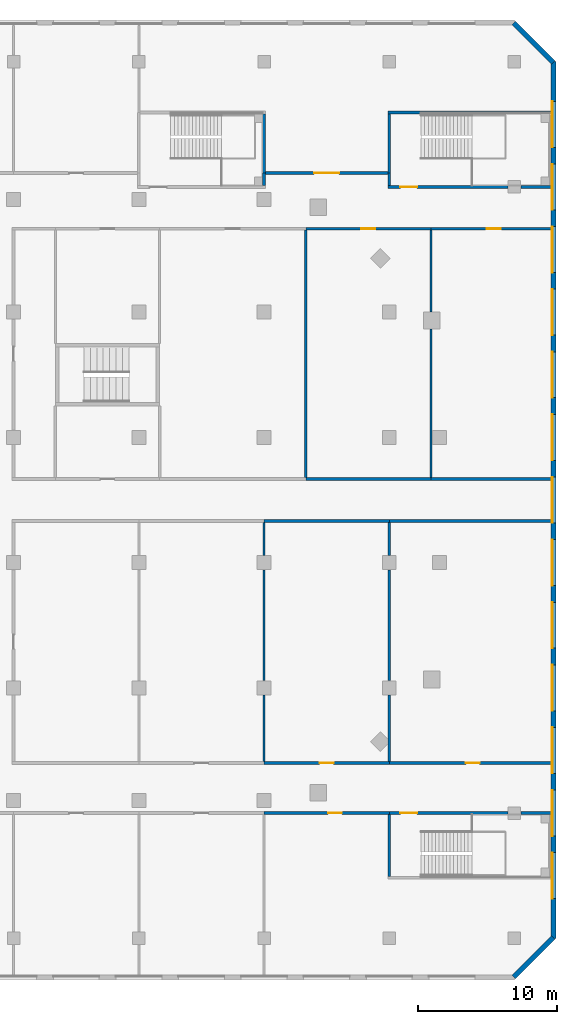
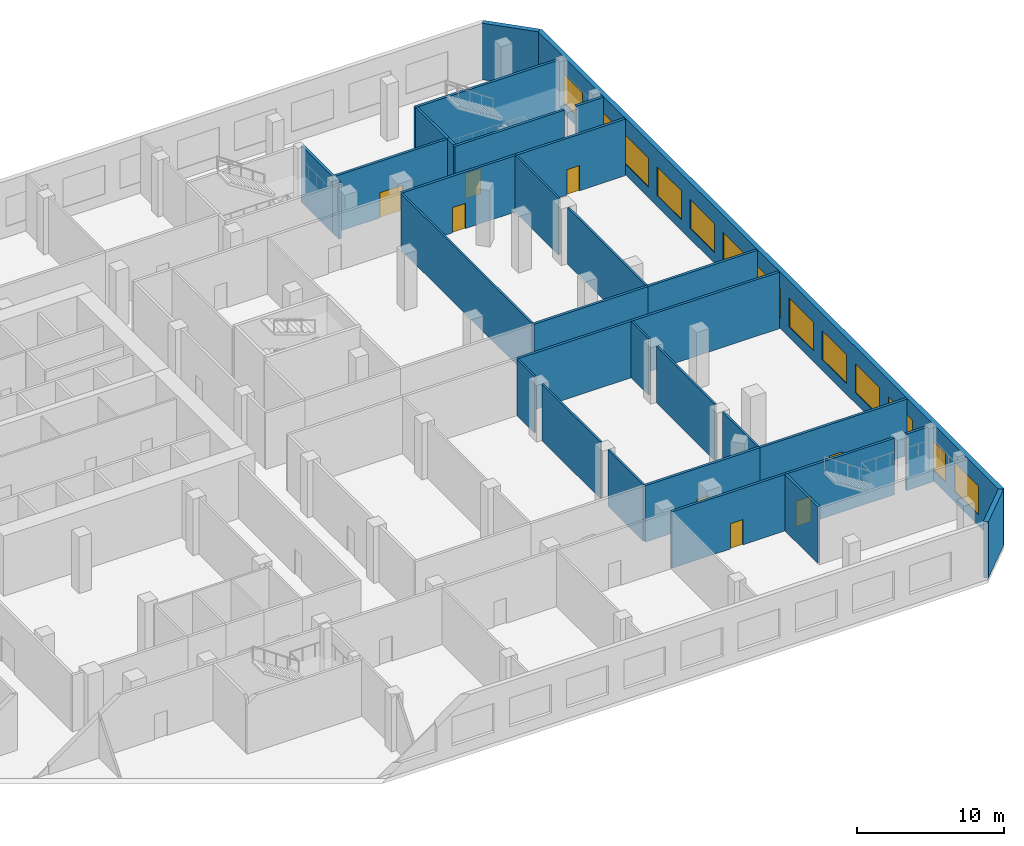
# One storey, part 14 of 21: 32 walls, 13 windows, 8 doors, 21 openings.
"""IFC4 building model written with IfcOpenShell, lengths in metres."""

from ifc_helpers import new_model, si_unit, direction, frame, frame_2d, origin, place, context, subcontext, project, spatial, rectangle, extrude, material, layer, layer_set, type_object, element, fill, save


model = new_model("IFC4")

# Units and contexts
model_context = context("Model", 3, precision=1e-05, world=origin(), true_north=direction((0.0, 1.0)))
body_context = subcontext(model_context, "Body", "Model", "MODEL_VIEW")
ifc_project = project(units=[si_unit("LENGTHUNIT", "METRE"), si_unit("AREAUNIT", "SQUARE_METRE"), si_unit("VOLUMEUNIT", "CUBIC_METRE"), si_unit("PLANEANGLEUNIT", "RADIAN"), si_unit("MASSUNIT", "GRAM", prefix="KILO")], contexts=[model_context])

# Site, building, storey
site_placement = place(None, origin())
site = spatial("IfcSite", under=ifc_project, at=site_placement, CompositionType="ELEMENT")
building_placement = place(site_placement, origin())
building = spatial("IfcBuilding", under=site, at=building_placement, Name="Cinnabar Reach Civic Tower", CompositionType="ELEMENT")
storey_placement = place(building_placement, frame((0.0, 0.0, 11.0)))
storey = spatial("IfcBuildingStorey", under=building, at=storey_placement, Name="L02", CompositionType="ELEMENT", Elevation=11.0)

# Walls
ifc_material_1 = material(Name="Facing brick with insulated backing", Category="masonry")
ifc_layer_1 = layer(ifc_material_1, 0.36)
ifc_layer_set_1 = layer_set([ifc_layer_1], Name="Brick corner wall")
wall_type_1 = type_object("IfcWallType", Name="Brick corner wall", PredefinedType="STANDARD", material=ifc_layer_set_1)
for number, where, z_axis, x_axis, name in (
    (1, (62.9611, -11.7843, 0.0), (0.0, 0.0, 1.0), (0.707106781187, 0.707106781187, 0.0), "Brick corner wall"),
    (2, (65.7843, 53.9611, 0.0), (0.0, 0.0, 1.0), (-0.707106781187, 0.707106781187, 0.0), "Brick corner wall"),
):
    element("IfcWall", number, at=place(storey_placement, frame(where, z_axis=z_axis, x_axis=x_axis)), inside=storey, type_object=wall_type_1, Name=name, PredefinedType="STANDARD", context=body_context, shape_type="SweptSolid", body=[
        extrude(rectangle(XDim=3.9926, YDim=0.36, at=frame_2d((1.9963, 0.0))), origin(), (0.0, 0.0, 1.0), 4.7),
    ])

# Wall, openings, windows
ifc_layer_2 = layer(ifc_material_1, 0.36)
ifc_layer_set_2 = layer_set([ifc_layer_2], Name="Brick pier and spandrel wall")
wall_type_2 = type_object("IfcWallType", Name="Brick pier and spandrel wall", PredefinedType="STANDARD", material=ifc_layer_set_2)
wall_1_placement = place(storey_placement, frame((65.82, -9.0, 0.0), z_axis=(0.0, 0.0, 1.0), x_axis=(0.0, 1.0, 0.0)))
wall_1 = element("IfcWall", 3, at=wall_1_placement, inside=storey, type_object=wall_type_2, Name="Brick facade wall", PredefinedType="STANDARD", context=body_context, shape_type="SweptSolid", body=[
    extrude(rectangle(XDim=63.0, YDim=0.36, at=frame_2d((31.5, 0.0))), origin(), (0.0, 0.0, 1.0), 4.7),
])
opening_1_placement = place(wall_1_placement, frame((2.85, 0.0, 0.9)))
opening_1 = element("IfcOpeningElement", 4, at=opening_1_placement, cuts=wall_1, Name="Opening W2963", PredefinedType="OPENING", context=body_context, shape_type="SweptSolid", body=[
    extrude(rectangle(XDim=3.3, YDim=2.4, at=frame_2d((1.65, 1.2))), frame((0.0, 0.19, 0.0), z_axis=(0.0, -1.0, 0.0), x_axis=(1.0, 0.0, 0.0)), (0.0, 0.0, 1.0), 0.38),
])
opening_2_placement = place(wall_1_placement, frame((7.35, 0.0, 0.9)))
opening_2 = element("IfcOpeningElement", 5, at=opening_2_placement, cuts=wall_1, Name="Opening W2964", PredefinedType="OPENING", context=body_context, shape_type="SweptSolid", body=[
    extrude(rectangle(XDim=3.3, YDim=2.4, at=frame_2d((1.65, 1.2))), frame((0.0, 0.19, 0.0), z_axis=(0.0, -1.0, 0.0), x_axis=(1.0, 0.0, 0.0)), (0.0, 0.0, 1.0), 0.38),
])
opening_3_placement = place(wall_1_placement, frame((11.85, 0.0, 0.9)))
opening_3 = element("IfcOpeningElement", 6, at=opening_3_placement, cuts=wall_1, Name="Opening W2965", PredefinedType="OPENING", context=body_context, shape_type="SweptSolid", body=[
    extrude(rectangle(XDim=3.3, YDim=2.4, at=frame_2d((1.65, 1.2))), frame((0.0, 0.19, 0.0), z_axis=(0.0, -1.0, 0.0), x_axis=(1.0, 0.0, 0.0)), (0.0, 0.0, 1.0), 0.38),
])
opening_4_placement = place(wall_1_placement, frame((16.35, 0.0, 0.9)))
opening_4 = element("IfcOpeningElement", 7, at=opening_4_placement, cuts=wall_1, Name="Opening W2966", PredefinedType="OPENING", context=body_context, shape_type="SweptSolid", body=[
    extrude(rectangle(XDim=3.3, YDim=2.4, at=frame_2d((1.65, 1.2))), frame((0.0, 0.19, 0.0), z_axis=(0.0, -1.0, 0.0), x_axis=(1.0, 0.0, 0.0)), (0.0, 0.0, 1.0), 0.38),
])
opening_5_placement = place(wall_1_placement, frame((20.85, 0.0, 0.9)))
opening_5 = element("IfcOpeningElement", 8, at=opening_5_placement, cuts=wall_1, Name="Opening W2967", PredefinedType="OPENING", context=body_context, shape_type="SweptSolid", body=[
    extrude(rectangle(XDim=3.3, YDim=2.4, at=frame_2d((1.65, 1.2))), frame((0.0, 0.19, 0.0), z_axis=(0.0, -1.0, 0.0), x_axis=(1.0, 0.0, 0.0)), (0.0, 0.0, 1.0), 0.38),
])
opening_6_placement = place(wall_1_placement, frame((25.35, 0.0, 0.9)))
opening_6 = element("IfcOpeningElement", 9, at=opening_6_placement, cuts=wall_1, Name="Opening W2968", PredefinedType="OPENING", context=body_context, shape_type="SweptSolid", body=[
    extrude(rectangle(XDim=3.3, YDim=2.4, at=frame_2d((1.65, 1.2))), frame((0.0, 0.19, 0.0), z_axis=(0.0, -1.0, 0.0), x_axis=(1.0, 0.0, 0.0)), (0.0, 0.0, 1.0), 0.38),
])
opening_7_placement = place(wall_1_placement, frame((29.85, 0.0, 0.9)))
opening_7 = element("IfcOpeningElement", 10, at=opening_7_placement, cuts=wall_1, Name="Opening W2969", PredefinedType="OPENING", context=body_context, shape_type="SweptSolid", body=[
    extrude(rectangle(XDim=3.3, YDim=2.4, at=frame_2d((1.65, 1.2))), frame((0.0, 0.19, 0.0), z_axis=(0.0, -1.0, 0.0), x_axis=(1.0, 0.0, 0.0)), (0.0, 0.0, 1.0), 0.38),
])
opening_8_placement = place(wall_1_placement, frame((34.35, 0.0, 0.9)))
opening_8 = element("IfcOpeningElement", 11, at=opening_8_placement, cuts=wall_1, Name="Opening W2970", PredefinedType="OPENING", context=body_context, shape_type="SweptSolid", body=[
    extrude(rectangle(XDim=3.3, YDim=2.4, at=frame_2d((1.65, 1.2))), frame((0.0, 0.19, 0.0), z_axis=(0.0, -1.0, 0.0), x_axis=(1.0, 0.0, 0.0)), (0.0, 0.0, 1.0), 0.38),
])
opening_9_placement = place(wall_1_placement, frame((38.85, 0.0, 0.9)))
opening_9 = element("IfcOpeningElement", 12, at=opening_9_placement, cuts=wall_1, Name="Opening W2971", PredefinedType="OPENING", context=body_context, shape_type="SweptSolid", body=[
    extrude(rectangle(XDim=3.3, YDim=2.4, at=frame_2d((1.65, 1.2))), frame((0.0, 0.19, 0.0), z_axis=(0.0, -1.0, 0.0), x_axis=(1.0, 0.0, 0.0)), (0.0, 0.0, 1.0), 0.38),
])
opening_10_placement = place(wall_1_placement, frame((43.35, 0.0, 0.9)))
opening_10 = element("IfcOpeningElement", 13, at=opening_10_placement, cuts=wall_1, Name="Opening W2972", PredefinedType="OPENING", context=body_context, shape_type="SweptSolid", body=[
    extrude(rectangle(XDim=3.3, YDim=2.4, at=frame_2d((1.65, 1.2))), frame((0.0, 0.19, 0.0), z_axis=(0.0, -1.0, 0.0), x_axis=(1.0, 0.0, 0.0)), (0.0, 0.0, 1.0), 0.38),
])
opening_11_placement = place(wall_1_placement, frame((47.85, 0.0, 0.9)))
opening_11 = element("IfcOpeningElement", 14, at=opening_11_placement, cuts=wall_1, Name="Opening W2973", PredefinedType="OPENING", context=body_context, shape_type="SweptSolid", body=[
    extrude(rectangle(XDim=3.3, YDim=2.4, at=frame_2d((1.65, 1.2))), frame((0.0, 0.19, 0.0), z_axis=(0.0, -1.0, 0.0), x_axis=(1.0, 0.0, 0.0)), (0.0, 0.0, 1.0), 0.38),
])
opening_12_placement = place(wall_1_placement, frame((52.35, 0.0, 0.9)))
opening_12 = element("IfcOpeningElement", 15, at=opening_12_placement, cuts=wall_1, Name="Opening W2974", PredefinedType="OPENING", context=body_context, shape_type="SweptSolid", body=[
    extrude(rectangle(XDim=3.3, YDim=2.4, at=frame_2d((1.65, 1.2))), frame((0.0, 0.19, 0.0), z_axis=(0.0, -1.0, 0.0), x_axis=(1.0, 0.0, 0.0)), (0.0, 0.0, 1.0), 0.38),
])
opening_13_placement = place(wall_1_placement, frame((56.85, 0.0, 0.9)))
opening_13 = element("IfcOpeningElement", 16, at=opening_13_placement, cuts=wall_1, Name="Opening W2975", PredefinedType="OPENING", context=body_context, shape_type="SweptSolid", body=[
    extrude(rectangle(XDim=3.3, YDim=2.4, at=frame_2d((1.65, 1.2))), frame((0.0, 0.19, 0.0), z_axis=(0.0, -1.0, 0.0), x_axis=(1.0, 0.0, 0.0)), (0.0, 0.0, 1.0), 0.38),
])
ifc_material_2 = material(Name="Clear double glazing in aluminium frame", Category="aluminium")
window_type = type_object("IfcWindowType", Name="Podium window P", PartitioningType="SINGLE_PANEL", PredefinedType="WINDOW", material=ifc_material_2)
window_1_placement = place(opening_1_placement, origin())
window_1 = element("IfcWindow", 17, at=window_1_placement, inside=storey, type_object=window_type, Name="Window east face", OverallHeight=2.4, OverallWidth=3.3, PartitioningType="SINGLE_PANEL", PredefinedType="WINDOW", context=body_context, shape_type="SweptSolid", body=[
    extrude(rectangle(XDim=3.3, YDim=2.4, at=frame_2d((1.65, 1.2))), frame((0.0, 0.13, 0.0), z_axis=(0.0, -1.0, 0.0), x_axis=(1.0, 0.0, 0.0)), (0.0, 0.0, 1.0), 0.06),
])
fill(opening_1, window_1)
window_2_placement = place(opening_2_placement, origin())
window_2 = element("IfcWindow", 18, at=window_2_placement, inside=storey, type_object=window_type, Name="Window east face", OverallHeight=2.4, OverallWidth=3.3, PartitioningType="SINGLE_PANEL", PredefinedType="WINDOW", context=body_context, shape_type="SweptSolid", body=[
    extrude(rectangle(XDim=3.3, YDim=2.4, at=frame_2d((1.65, 1.2))), frame((0.0, 0.13, 0.0), z_axis=(0.0, -1.0, 0.0), x_axis=(1.0, 0.0, 0.0)), (0.0, 0.0, 1.0), 0.06),
])
fill(opening_2, window_2)
window_3_placement = place(opening_3_placement, origin())
window_3 = element("IfcWindow", 19, at=window_3_placement, inside=storey, type_object=window_type, Name="Window east face", OverallHeight=2.4, OverallWidth=3.3, PartitioningType="SINGLE_PANEL", PredefinedType="WINDOW", context=body_context, shape_type="SweptSolid", body=[
    extrude(rectangle(XDim=3.3, YDim=2.4, at=frame_2d((1.65, 1.2))), frame((0.0, 0.13, 0.0), z_axis=(0.0, -1.0, 0.0), x_axis=(1.0, 0.0, 0.0)), (0.0, 0.0, 1.0), 0.06),
])
fill(opening_3, window_3)
window_4_placement = place(opening_4_placement, origin())
window_4 = element("IfcWindow", 20, at=window_4_placement, inside=storey, type_object=window_type, Name="Window east face", OverallHeight=2.4, OverallWidth=3.3, PartitioningType="SINGLE_PANEL", PredefinedType="WINDOW", context=body_context, shape_type="SweptSolid", body=[
    extrude(rectangle(XDim=3.3, YDim=2.4, at=frame_2d((1.65, 1.2))), frame((0.0, 0.13, 0.0), z_axis=(0.0, -1.0, 0.0), x_axis=(1.0, 0.0, 0.0)), (0.0, 0.0, 1.0), 0.06),
])
fill(opening_4, window_4)
window_5_placement = place(opening_5_placement, origin())
window_5 = element("IfcWindow", 21, at=window_5_placement, inside=storey, type_object=window_type, Name="Window east face", OverallHeight=2.4, OverallWidth=3.3, PartitioningType="SINGLE_PANEL", PredefinedType="WINDOW", context=body_context, shape_type="SweptSolid", body=[
    extrude(rectangle(XDim=3.3, YDim=2.4, at=frame_2d((1.65, 1.2))), frame((0.0, 0.13, 0.0), z_axis=(0.0, -1.0, 0.0), x_axis=(1.0, 0.0, 0.0)), (0.0, 0.0, 1.0), 0.06),
])
fill(opening_5, window_5)
window_6_placement = place(opening_6_placement, origin())
window_6 = element("IfcWindow", 22, at=window_6_placement, inside=storey, type_object=window_type, Name="Window east face", OverallHeight=2.4, OverallWidth=3.3, PartitioningType="SINGLE_PANEL", PredefinedType="WINDOW", context=body_context, shape_type="SweptSolid", body=[
    extrude(rectangle(XDim=3.3, YDim=2.4, at=frame_2d((1.65, 1.2))), frame((0.0, 0.13, 0.0), z_axis=(0.0, -1.0, 0.0), x_axis=(1.0, 0.0, 0.0)), (0.0, 0.0, 1.0), 0.06),
])
fill(opening_6, window_6)
window_7_placement = place(opening_7_placement, origin())
window_7 = element("IfcWindow", 23, at=window_7_placement, inside=storey, type_object=window_type, Name="Window east face", OverallHeight=2.4, OverallWidth=3.3, PartitioningType="SINGLE_PANEL", PredefinedType="WINDOW", context=body_context, shape_type="SweptSolid", body=[
    extrude(rectangle(XDim=3.3, YDim=2.4, at=frame_2d((1.65, 1.2))), frame((0.0, 0.13, 0.0), z_axis=(0.0, -1.0, 0.0), x_axis=(1.0, 0.0, 0.0)), (0.0, 0.0, 1.0), 0.06),
])
fill(opening_7, window_7)
window_8_placement = place(opening_8_placement, origin())
window_8 = element("IfcWindow", 24, at=window_8_placement, inside=storey, type_object=window_type, Name="Window east face", OverallHeight=2.4, OverallWidth=3.3, PartitioningType="SINGLE_PANEL", PredefinedType="WINDOW", context=body_context, shape_type="SweptSolid", body=[
    extrude(rectangle(XDim=3.3, YDim=2.4, at=frame_2d((1.65, 1.2))), frame((0.0, 0.13, 0.0), z_axis=(0.0, -1.0, 0.0), x_axis=(1.0, 0.0, 0.0)), (0.0, 0.0, 1.0), 0.06),
])
fill(opening_8, window_8)
window_9_placement = place(opening_9_placement, origin())
window_9 = element("IfcWindow", 25, at=window_9_placement, inside=storey, type_object=window_type, Name="Window east face", OverallHeight=2.4, OverallWidth=3.3, PartitioningType="SINGLE_PANEL", PredefinedType="WINDOW", context=body_context, shape_type="SweptSolid", body=[
    extrude(rectangle(XDim=3.3, YDim=2.4, at=frame_2d((1.65, 1.2))), frame((0.0, 0.13, 0.0), z_axis=(0.0, -1.0, 0.0), x_axis=(1.0, 0.0, 0.0)), (0.0, 0.0, 1.0), 0.06),
])
fill(opening_9, window_9)
window_10_placement = place(opening_10_placement, origin())
window_10 = element("IfcWindow", 26, at=window_10_placement, inside=storey, type_object=window_type, Name="Window east face", OverallHeight=2.4, OverallWidth=3.3, PartitioningType="SINGLE_PANEL", PredefinedType="WINDOW", context=body_context, shape_type="SweptSolid", body=[
    extrude(rectangle(XDim=3.3, YDim=2.4, at=frame_2d((1.65, 1.2))), frame((0.0, 0.13, 0.0), z_axis=(0.0, -1.0, 0.0), x_axis=(1.0, 0.0, 0.0)), (0.0, 0.0, 1.0), 0.06),
])
fill(opening_10, window_10)
window_11_placement = place(opening_11_placement, origin())
window_11 = element("IfcWindow", 27, at=window_11_placement, inside=storey, type_object=window_type, Name="Window east face", OverallHeight=2.4, OverallWidth=3.3, PartitioningType="SINGLE_PANEL", PredefinedType="WINDOW", context=body_context, shape_type="SweptSolid", body=[
    extrude(rectangle(XDim=3.3, YDim=2.4, at=frame_2d((1.65, 1.2))), frame((0.0, 0.13, 0.0), z_axis=(0.0, -1.0, 0.0), x_axis=(1.0, 0.0, 0.0)), (0.0, 0.0, 1.0), 0.06),
])
fill(opening_11, window_11)
window_12_placement = place(opening_12_placement, origin())
window_12 = element("IfcWindow", 28, at=window_12_placement, inside=storey, type_object=window_type, Name="Window east face", OverallHeight=2.4, OverallWidth=3.3, PartitioningType="SINGLE_PANEL", PredefinedType="WINDOW", context=body_context, shape_type="SweptSolid", body=[
    extrude(rectangle(XDim=3.3, YDim=2.4, at=frame_2d((1.65, 1.2))), frame((0.0, 0.13, 0.0), z_axis=(0.0, -1.0, 0.0), x_axis=(1.0, 0.0, 0.0)), (0.0, 0.0, 1.0), 0.06),
])
fill(opening_12, window_12)
window_13_placement = place(opening_13_placement, origin())
window_13 = element("IfcWindow", 29, at=window_13_placement, inside=storey, type_object=window_type, Name="Window east face", OverallHeight=2.4, OverallWidth=3.3, PartitioningType="SINGLE_PANEL", PredefinedType="WINDOW", context=body_context, shape_type="SweptSolid", body=[
    extrude(rectangle(XDim=3.3, YDim=2.4, at=frame_2d((1.65, 1.2))), frame((0.0, 0.13, 0.0), z_axis=(0.0, -1.0, 0.0), x_axis=(1.0, 0.0, 0.0)), (0.0, 0.0, 1.0), 0.06),
])
fill(opening_13, window_13)

# Wall, opening, door
ifc_material_3 = material(Name="Concrete blockwork", Category="masonry")
ifc_layer_3 = layer(ifc_material_3, 0.2)
ifc_layer_set_3 = layer_set([ifc_layer_3], Name="Podium masonry corridor wall 200 EI 120")
wall_type_3 = type_object("IfcWallType", Name="Podium masonry corridor wall 200 EI 120", PredefinedType="PARTITIONING", material=ifc_layer_set_3)
wall_2_placement = place(storey_placement, frame((45.0, 0.0, 0.0), z_axis=(0.0, 0.0, 1.0), x_axis=(1.0, 0.0, 0.0)))
wall_2 = element("IfcWall", 30, at=wall_2_placement, inside=storey, type_object=wall_type_3, Name="Wall L02 54", PredefinedType="PARTITIONING", context=body_context, shape_type="SweptSolid", body=[
    extrude(rectangle(XDim=9.0, YDim=0.2, at=frame_2d((4.5, 0.0))), origin(), (0.0, 0.0, 1.0), 4.7),
])
opening_14_placement = place(wall_2_placement, frame((4.6, 0.0, 0.0)))
opening_14 = element("IfcOpeningElement", 31, at=opening_14_placement, cuts=wall_2, Name="Opening D1117", PredefinedType="OPENING", context=body_context, shape_type="SweptSolid", body=[
    extrude(rectangle(XDim=1.0, YDim=2.1, at=frame_2d((0.5, 1.05))), frame((0.0, 0.11, 0.0), z_axis=(0.0, -1.0, 0.0), x_axis=(1.0, 0.0, 0.0)), (0.0, 0.0, 1.0), 0.22),
])
ifc_material_4 = material(Name="Painted steel door leaf", Category="steel")
door_type_1 = type_object("IfcDoorType", Name="Podium single door 1000x2100", OperationType="SINGLE_SWING_LEFT", PredefinedType="DOOR", material=ifc_material_4)
door_1_placement = place(opening_14_placement, frame((1.0, 0.0, 0.0), z_axis=(0.0, 0.0, 1.0), x_axis=(-1.0, 0.0, 0.0)))
door_1 = element("IfcDoor", 32, at=door_1_placement, inside=storey, type_object=door_type_1, Name="Door D1117", OperationType="SINGLE_SWING_LEFT", OverallHeight=2.1, OverallWidth=1.0, PredefinedType="DOOR", context=body_context, shape_type="SweptSolid", body=[
    extrude(rectangle(XDim=1.0, YDim=2.1, at=frame_2d((0.5, 1.05))), frame((0.0, 0.025, 0.0), z_axis=(0.0, -1.0, 0.0), x_axis=(1.0, 0.0, 0.0)), (0.0, 0.0, 1.0), 0.05),
])
fill(opening_14, door_1)

wall_3_placement = place(storey_placement, frame((45.0, 3.6, 0.0), z_axis=(0.0, 0.0, 1.0), x_axis=(1.0, 0.0, 0.0)))
wall_3 = element("IfcWall", 33, at=wall_3_placement, inside=storey, type_object=wall_type_3, Name="Wall L02 63", PredefinedType="PARTITIONING", context=body_context, shape_type="SweptSolid", body=[
    extrude(rectangle(XDim=9.0, YDim=0.2, at=frame_2d((4.5, 0.0))), origin(), (0.0, 0.0, 1.0), 4.7),
])
opening_15_placement = place(wall_3_placement, frame((4.0, 0.0, 0.0)))
opening_15 = element("IfcOpeningElement", 34, at=opening_15_placement, cuts=wall_3, Name="Opening D1131", PredefinedType="OPENING", context=body_context, shape_type="SweptSolid", body=[
    extrude(rectangle(XDim=1.0, YDim=2.1, at=frame_2d((0.5, 1.05))), frame((0.0, 0.11, 0.0), z_axis=(0.0, -1.0, 0.0), x_axis=(1.0, 0.0, 0.0)), (0.0, 0.0, 1.0), 0.22),
])
door_2_placement = place(opening_15_placement, origin())
door_2 = element("IfcDoor", 35, at=door_2_placement, inside=storey, type_object=door_type_1, Name="Door D1131", OperationType="SINGLE_SWING_LEFT", OverallHeight=2.1, OverallWidth=1.0, PredefinedType="DOOR", context=body_context, shape_type="SweptSolid", body=[
    extrude(rectangle(XDim=1.0, YDim=2.1, at=frame_2d((0.5, 1.05))), frame((0.0, 0.025, 0.0), z_axis=(0.0, -1.0, 0.0), x_axis=(1.0, 0.0, 0.0)), (0.0, 0.0, 1.0), 0.05),
])
fill(opening_15, door_2)

wall_4_placement = place(storey_placement, frame((54.0, 3.6, 0.0), z_axis=(0.0, 0.0, 1.0), x_axis=(1.0, 0.0, 0.0)))
wall_4 = element("IfcWall", 36, at=wall_4_placement, inside=storey, type_object=wall_type_3, Name="Wall L02 64", PredefinedType="PARTITIONING", context=body_context, shape_type="SweptSolid", body=[
    extrude(rectangle(XDim=11.6, YDim=0.2, at=frame_2d((5.8, 0.0))), origin(), (0.0, 0.0, 1.0), 4.7),
])
opening_16_placement = place(wall_4_placement, frame((5.5, 0.0, 0.0)))
opening_16 = element("IfcOpeningElement", 37, at=opening_16_placement, cuts=wall_4, Name="Opening D1132", PredefinedType="OPENING", context=body_context, shape_type="SweptSolid", body=[
    extrude(rectangle(XDim=1.0, YDim=2.1, at=frame_2d((0.5, 1.05))), frame((0.0, 0.11, 0.0), z_axis=(0.0, -1.0, 0.0), x_axis=(1.0, 0.0, 0.0)), (0.0, 0.0, 1.0), 0.22),
])
door_3_placement = place(opening_16_placement, origin())
door_3 = element("IfcDoor", 38, at=door_3_placement, inside=storey, type_object=door_type_1, Name="Door D1132", OperationType="SINGLE_SWING_LEFT", OverallHeight=2.1, OverallWidth=1.0, PredefinedType="DOOR", context=body_context, shape_type="SweptSolid", body=[
    extrude(rectangle(XDim=1.0, YDim=2.1, at=frame_2d((0.5, 1.05))), frame((0.0, 0.025, 0.0), z_axis=(0.0, -1.0, 0.0), x_axis=(1.0, 0.0, 0.0)), (0.0, 0.0, 1.0), 0.05),
])
fill(opening_16, door_3)

wall_5_placement = place(storey_placement, frame((48.0, 42.0, 0.0), z_axis=(0.0, 0.0, 1.0), x_axis=(1.0, 0.0, 0.0)))
wall_5 = element("IfcWall", 39, at=wall_5_placement, inside=storey, type_object=wall_type_3, Name="Wall L02 98", PredefinedType="PARTITIONING", context=body_context, shape_type="SweptSolid", body=[
    extrude(rectangle(XDim=9.0, YDim=0.2, at=frame_2d((4.5, 0.0))), origin(), (0.0, 0.0, 1.0), 4.7),
])
opening_17_placement = place(wall_5_placement, frame((4.0, 0.0, 0.0)))
opening_17 = element("IfcOpeningElement", 40, at=opening_17_placement, cuts=wall_5, Name="Opening D1142", PredefinedType="OPENING", context=body_context, shape_type="SweptSolid", body=[
    extrude(rectangle(XDim=1.0, YDim=2.1, at=frame_2d((0.5, 1.05))), frame((0.0, 0.11, 0.0), z_axis=(0.0, -1.0, 0.0), x_axis=(1.0, 0.0, 0.0)), (0.0, 0.0, 1.0), 0.22),
])
door_4_placement = place(opening_17_placement, frame((1.0, 0.0, 0.0), z_axis=(0.0, 0.0, 1.0), x_axis=(-1.0, 0.0, 0.0)))
door_4 = element("IfcDoor", 41, at=door_4_placement, inside=storey, type_object=door_type_1, Name="Door D1142", OperationType="SINGLE_SWING_LEFT", OverallHeight=2.1, OverallWidth=1.0, PredefinedType="DOOR", context=body_context, shape_type="SweptSolid", body=[
    extrude(rectangle(XDim=1.0, YDim=2.1, at=frame_2d((0.5, 1.05))), frame((0.0, 0.025, 0.0), z_axis=(0.0, -1.0, 0.0), x_axis=(1.0, 0.0, 0.0)), (0.0, 0.0, 1.0), 0.05),
])
fill(opening_17, door_4)

wall_6_placement = place(storey_placement, frame((57.0, 42.0, 0.0), z_axis=(0.0, 0.0, 1.0), x_axis=(1.0, 0.0, 0.0)))
wall_6 = element("IfcWall", 42, at=wall_6_placement, inside=storey, type_object=wall_type_3, Name="Wall L02 99", PredefinedType="PARTITIONING", context=body_context, shape_type="SweptSolid", body=[
    extrude(rectangle(XDim=8.6, YDim=0.2, at=frame_2d((4.3, 0.0))), origin(), (0.0, 0.0, 1.0), 4.7),
])
opening_18_placement = place(wall_6_placement, frame((4.0, 0.0, 0.0)))
opening_18 = element("IfcOpeningElement", 43, at=opening_18_placement, cuts=wall_6, Name="Opening D1143", PredefinedType="OPENING", context=body_context, shape_type="SweptSolid", body=[
    extrude(rectangle(XDim=1.0, YDim=2.1, at=frame_2d((0.5, 1.05))), frame((0.0, 0.11, 0.0), z_axis=(0.0, -1.0, 0.0), x_axis=(1.0, 0.0, 0.0)), (0.0, 0.0, 1.0), 0.22),
])
door_5_placement = place(opening_18_placement, frame((1.0, 0.0, 0.0), z_axis=(0.0, 0.0, 1.0), x_axis=(-1.0, 0.0, 0.0)))
door_5 = element("IfcDoor", 44, at=door_5_placement, inside=storey, type_object=door_type_1, Name="Door D1143", OperationType="SINGLE_SWING_LEFT", OverallHeight=2.1, OverallWidth=1.0, PredefinedType="DOOR", context=body_context, shape_type="SweptSolid", body=[
    extrude(rectangle(XDim=1.0, YDim=2.1, at=frame_2d((0.5, 1.05))), frame((0.0, 0.025, 0.0), z_axis=(0.0, -1.0, 0.0), x_axis=(1.0, 0.0, 0.0)), (0.0, 0.0, 1.0), 0.05),
])
fill(opening_18, door_5)

wall_7_placement = place(storey_placement, frame((45.1, 46.0, 0.0), z_axis=(0.0, 0.0, 1.0), x_axis=(1.0, 0.0, 0.0)))
wall_7 = element("IfcWall", 45, at=wall_7_placement, inside=storey, type_object=wall_type_3, Name="Wall L02 104", PredefinedType="PARTITIONING", context=body_context, shape_type="SweptSolid", body=[
    extrude(rectangle(XDim=8.8, YDim=0.2, at=frame_2d((4.4, 0.0))), origin(), (0.0, 0.0, 1.0), 4.7),
])
opening_19_placement = place(wall_7_placement, frame((3.5, 0.0, 0.0)))
opening_19 = element("IfcOpeningElement", 46, at=opening_19_placement, cuts=wall_7, Name="Opening D1152", PredefinedType="OPENING", context=body_context, shape_type="SweptSolid", body=[
    extrude(rectangle(XDim=1.8, YDim=2.1, at=frame_2d((0.9, 1.05))), frame((0.0, 0.11, 0.0), z_axis=(0.0, -1.0, 0.0), x_axis=(1.0, 0.0, 0.0)), (0.0, 0.0, 1.0), 0.22),
])
door_type_2 = type_object("IfcDoorType", Name="Podium double door 1800x2100", OperationType="DOUBLE_DOOR_SINGLE_SWING", PredefinedType="DOOR", material=ifc_material_4)
door_6_placement = place(opening_19_placement, origin())
door_6 = element("IfcDoor", 47, at=door_6_placement, inside=storey, type_object=door_type_2, Name="Door D1152", OperationType="DOUBLE_DOOR_SINGLE_SWING", OverallHeight=2.1, OverallWidth=1.8, PredefinedType="DOOR", context=body_context, shape_type="SweptSolid", body=[
    extrude(rectangle(XDim=1.8, YDim=2.1, at=frame_2d((0.9, 1.05))), frame((0.0, 0.025, 0.0), z_axis=(0.0, -1.0, 0.0), x_axis=(1.0, 0.0, 0.0)), (0.0, 0.0, 1.0), 0.05),
])
fill(opening_19, door_6)

# Walls
wall_8_placement = place(storey_placement, frame((45.0, 21.0, 0.0), z_axis=(0.0, 0.0, 1.0), x_axis=(1.0, 0.0, 0.0)))
element("IfcWall", 48, at=wall_8_placement, inside=storey, type_object=wall_type_3, Name="Wall L02 114", PredefinedType="PARTITIONING", context=body_context, shape_type="SweptSolid", body=[
    extrude(rectangle(XDim=9.0, YDim=0.2, at=frame_2d((4.5, 0.0))), origin(), (0.0, 0.0, 1.0), 4.7),
])
wall_9_placement = place(storey_placement, frame((54.0, 21.0, 0.0), z_axis=(0.0, 0.0, 1.0), x_axis=(1.0, 0.0, 0.0)))
element("IfcWall", 49, at=wall_9_placement, inside=storey, type_object=wall_type_3, Name="Wall L02 115", PredefinedType="PARTITIONING", context=body_context, shape_type="SweptSolid", body=[
    extrude(rectangle(XDim=11.6, YDim=0.2, at=frame_2d((5.8, 0.0))), origin(), (0.0, 0.0, 1.0), 4.7),
])
wall_10_placement = place(storey_placement, frame((48.0, 24.0, 0.0), z_axis=(0.0, 0.0, 1.0), x_axis=(1.0, 0.0, 0.0)))
element("IfcWall", 50, at=wall_10_placement, inside=storey, type_object=wall_type_3, Name="Wall L02 119", PredefinedType="PARTITIONING", context=body_context, shape_type="SweptSolid", body=[
    extrude(rectangle(XDim=9.0, YDim=0.2, at=frame_2d((4.5, 0.0))), origin(), (0.0, 0.0, 1.0), 4.7),
])
wall_11_placement = place(storey_placement, frame((57.0, 24.0, 0.0), z_axis=(0.0, 0.0, 1.0), x_axis=(1.0, 0.0, 0.0)))
element("IfcWall", 51, at=wall_11_placement, inside=storey, type_object=wall_type_3, Name="Wall L02 120", PredefinedType="PARTITIONING", context=body_context, shape_type="SweptSolid", body=[
    extrude(rectangle(XDim=8.6, YDim=0.2, at=frame_2d((4.3, 0.0))), origin(), (0.0, 0.0, 1.0), 4.7),
])
ifc_material_5 = material(Name="Gypsum board on steel studs", Category="steel")
ifc_layer_4 = layer(ifc_material_5, 0.15)
ifc_layer_set_4 = layer_set([ifc_layer_4], Name="Podium partition wall 150 EI 90")
wall_type_4 = type_object("IfcWallType", Name="Podium partition wall 150 EI 90", PredefinedType="PARTITIONING", material=ifc_layer_set_4)
wall_12_placement = place(storey_placement, frame((45.0, 3.7, 0.0), z_axis=(0.0, 0.0, 1.0), x_axis=(0.0, 1.0, 0.0)))
element("IfcWall", 52, at=wall_12_placement, inside=storey, type_object=wall_type_4, Name="Wall L02 197", PredefinedType="PARTITIONING", context=body_context, shape_type="SweptSolid", body=[
    extrude(rectangle(XDim=4.78, YDim=0.15, at=frame_2d((2.39, 0.0))), origin(), (0.0, 0.0, 1.0), 4.7),
])
wall_13_placement = place(storey_placement, frame((45.0, 9.52, 0.0), z_axis=(0.0, 0.0, 1.0), x_axis=(0.0, 1.0, 0.0)))
element("IfcWall", 53, at=wall_13_placement, inside=storey, type_object=wall_type_4, Name="Wall L02 198", PredefinedType="PARTITIONING", context=body_context, shape_type="SweptSolid", body=[
    extrude(rectangle(XDim=7.96, YDim=0.15, at=frame_2d((3.98, 0.0))), origin(), (0.0, 0.0, 1.0), 4.7),
])
wall_14_placement = place(storey_placement, frame((45.0, 18.52, 0.0), z_axis=(0.0, 0.0, 1.0), x_axis=(0.0, 1.0, 0.0)))
element("IfcWall", 54, at=wall_14_placement, inside=storey, type_object=wall_type_4, Name="Wall L02 199", PredefinedType="PARTITIONING", context=body_context, shape_type="SweptSolid", body=[
    extrude(rectangle(XDim=2.38, YDim=0.15, at=frame_2d((1.19, 0.0))), origin(), (0.0, 0.0, 1.0), 4.7),
])
wall_15_placement = place(storey_placement, frame((54.0, 3.7, 0.0), z_axis=(0.0, 0.0, 1.0), x_axis=(0.0, 1.0, 0.0)))
element("IfcWall", 55, at=wall_15_placement, inside=storey, type_object=wall_type_4, Name="Wall L02 200", PredefinedType="PARTITIONING", context=body_context, shape_type="SweptSolid", body=[
    extrude(rectangle(XDim=4.78, YDim=0.15, at=frame_2d((2.39, 0.0))), origin(), (0.0, 0.0, 1.0), 4.7),
])
wall_16_placement = place(storey_placement, frame((54.0, 9.52, 0.0), z_axis=(0.0, 0.0, 1.0), x_axis=(0.0, 1.0, 0.0)))
element("IfcWall", 56, at=wall_16_placement, inside=storey, type_object=wall_type_4, Name="Wall L02 201", PredefinedType="PARTITIONING", context=body_context, shape_type="SweptSolid", body=[
    extrude(rectangle(XDim=7.96, YDim=0.15, at=frame_2d((3.98, 0.0))), origin(), (0.0, 0.0, 1.0), 4.7),
])
wall_17_placement = place(storey_placement, frame((54.0, 18.52, 0.0), z_axis=(0.0, 0.0, 1.0), x_axis=(0.0, 1.0, 0.0)))
element("IfcWall", 57, at=wall_17_placement, inside=storey, type_object=wall_type_4, Name="Wall L02 202", PredefinedType="PARTITIONING", context=body_context, shape_type="SweptSolid", body=[
    extrude(rectangle(XDim=2.38, YDim=0.15, at=frame_2d((1.19, 0.0))), origin(), (0.0, 0.0, 1.0), 4.7),
])
wall_18_placement = place(storey_placement, frame((48.0, 24.1, 0.0), z_axis=(0.0, 0.0, 1.0), x_axis=(0.0, 1.0, 0.0)))
element("IfcWall", 58, at=wall_18_placement, inside=storey, type_object=wall_type_4, Name="Wall L02 212", PredefinedType="PARTITIONING", context=body_context, shape_type="SweptSolid", body=[
    extrude(rectangle(XDim=17.8, YDim=0.15, at=frame_2d((8.9, 0.0))), origin(), (0.0, 0.0, 1.0), 4.7),
])
wall_19_placement = place(storey_placement, frame((57.0, 24.1, 0.0), z_axis=(0.0, 0.0, 1.0), x_axis=(0.0, 1.0, 0.0)))
element("IfcWall", 59, at=wall_19_placement, inside=storey, type_object=wall_type_4, Name="Wall L02 213", PredefinedType="PARTITIONING", context=body_context, shape_type="SweptSolid", body=[
    extrude(rectangle(XDim=10.6781, YDim=0.15, at=frame_2d((5.3391, 0.0))), origin(), (0.0, 0.0, 1.0), 4.7),
])
wall_20_placement = place(storey_placement, frame((57.0, 36.0181, 0.0), z_axis=(0.0, 0.0, 1.0), x_axis=(0.0, 1.0, 0.0)))
element("IfcWall", 60, at=wall_20_placement, inside=storey, type_object=wall_type_4, Name="Wall L02 214", PredefinedType="PARTITIONING", context=body_context, shape_type="SweptSolid", body=[
    extrude(rectangle(XDim=5.8819, YDim=0.15, at=frame_2d((2.9409, 0.0))), origin(), (0.0, 0.0, 1.0), 4.7),
])

# Wall, opening, door
ifc_material_6 = material(Name="Concrete C40", Category="concrete")
ifc_layer_5 = layer(ifc_material_6, 0.2)
ifc_layer_set_5 = layer_set([ifc_layer_5], Name="Podium stair shaft wall 200 EI 120")
wall_type_5 = type_object("IfcWallType", Name="Podium stair shaft wall 200 EI 120", PredefinedType="SOLIDWALL", material=ifc_layer_set_5)
wall_21_placement = place(storey_placement, frame((54.0, 0.0, 0.0), z_axis=(0.0, 0.0, 1.0), x_axis=(1.0, 0.0, 0.0)))
wall_21 = element("IfcWall", 61, at=wall_21_placement, inside=storey, type_object=wall_type_5, Name="Wall L02 13", PredefinedType="SOLIDWALL", context=body_context, shape_type="SweptSolid", body=[
    extrude(rectangle(XDim=8.53, YDim=0.2, at=frame_2d((4.265, 0.0))), origin(), (0.0, 0.0, 1.0), 4.7),
])
opening_20_placement = place(wall_21_placement, frame((0.8, 0.0, 0.0)))
opening_20 = element("IfcOpeningElement", 62, at=opening_20_placement, cuts=wall_21, Name="Opening D1156", PredefinedType="OPENING", context=body_context, shape_type="SweptSolid", body=[
    extrude(rectangle(XDim=1.2, YDim=2.1, at=frame_2d((0.6, 1.05))), frame((0.0, 0.11, 0.0), z_axis=(0.0, -1.0, 0.0), x_axis=(1.0, 0.0, 0.0)), (0.0, 0.0, 1.0), 0.22),
])
door_type_3 = type_object("IfcDoorType", Name="Podium single door 1200x2100", OperationType="SINGLE_SWING_LEFT", PredefinedType="DOOR", material=ifc_material_4)
door_7_placement = place(opening_20_placement, frame((1.2, 0.0, 0.0), z_axis=(0.0, 0.0, 1.0), x_axis=(-1.0, 0.0, 0.0)))
door_7 = element("IfcDoor", 63, at=door_7_placement, inside=storey, type_object=door_type_3, Name="Door D1156", OperationType="SINGLE_SWING_RIGHT", OverallHeight=2.1, OverallWidth=1.2, PredefinedType="DOOR", context=body_context, shape_type="SweptSolid", body=[
    extrude(rectangle(XDim=1.2, YDim=2.1, at=frame_2d((0.6, 1.05))), frame((0.0, 0.025, 0.0), z_axis=(0.0, -1.0, 0.0), x_axis=(1.0, 0.0, 0.0)), (0.0, 0.0, 1.0), 0.05),
])
fill(opening_20, door_7)

# Walls
wall_22_placement = place(storey_placement, frame((63.47, 0.0, 0.0), z_axis=(0.0, 0.0, 1.0), x_axis=(1.0, 0.0, 0.0)))
element("IfcWall", 64, at=wall_22_placement, inside=storey, type_object=wall_type_5, Name="Wall L02 14", PredefinedType="SOLIDWALL", context=body_context, shape_type="SweptSolid", body=[
    extrude(rectangle(XDim=2.13, YDim=0.2, at=frame_2d((1.065, 0.0))), origin(), (0.0, 0.0, 1.0), 4.7),
])
wall_23_placement = place(storey_placement, frame((54.0, -4.55, 0.0), z_axis=(0.0, 0.0, 1.0), x_axis=(0.0, 1.0, 0.0)))
element("IfcWall", 65, at=wall_23_placement, inside=storey, type_object=wall_type_5, Name="Wall L02 15", PredefinedType="SOLIDWALL", context=body_context, shape_type="SweptSolid", body=[
    extrude(rectangle(XDim=4.45, YDim=0.2, at=frame_2d((2.225, 0.0))), origin(), (0.0, 0.0, 1.0), 4.7),
])
wall_24_placement = place(storey_placement, frame((54.0, 45.1, 0.0), z_axis=(0.0, 0.0, 1.0), x_axis=(0.0, 1.0, 0.0)))
element("IfcWall", 66, at=wall_24_placement, inside=storey, type_object=wall_type_5, Name="Wall L02 17", PredefinedType="SOLIDWALL", context=body_context, shape_type="SweptSolid", body=[
    extrude(rectangle(XDim=0.9, YDim=0.2, at=frame_2d((0.45, 0.0))), origin(), (0.0, 0.0, 1.0), 4.7),
])

# Wall, opening, door
wall_25_placement = place(storey_placement, frame((53.9, 45.0, 0.0), z_axis=(0.0, 0.0, 1.0), x_axis=(1.0, 0.0, 0.0)))
wall_25 = element("IfcWall", 67, at=wall_25_placement, inside=storey, type_object=wall_type_5, Name="Wall L02 18", PredefinedType="SOLIDWALL", context=body_context, shape_type="SweptSolid", body=[
    extrude(rectangle(XDim=8.63, YDim=0.2, at=frame_2d((4.315, 0.0))), origin(), (0.0, 0.0, 1.0), 4.7),
])
opening_21_placement = place(wall_25_placement, frame((0.9, 0.0, 0.0)))
opening_21 = element("IfcOpeningElement", 68, at=opening_21_placement, cuts=wall_25, Name="Opening D1157", PredefinedType="OPENING", context=body_context, shape_type="SweptSolid", body=[
    extrude(rectangle(XDim=1.2, YDim=2.1, at=frame_2d((0.6, 1.05))), frame((0.0, 0.11, 0.0), z_axis=(0.0, -1.0, 0.0), x_axis=(1.0, 0.0, 0.0)), (0.0, 0.0, 1.0), 0.22),
])
door_8_placement = place(opening_21_placement, origin())
door_8 = element("IfcDoor", 69, at=door_8_placement, inside=storey, type_object=door_type_3, Name="Door D1157", OperationType="SINGLE_SWING_RIGHT", OverallHeight=2.1, OverallWidth=1.2, PredefinedType="DOOR", context=body_context, shape_type="SweptSolid", body=[
    extrude(rectangle(XDim=1.2, YDim=2.1, at=frame_2d((0.6, 1.05))), frame((0.0, 0.025, 0.0), z_axis=(0.0, -1.0, 0.0), x_axis=(1.0, 0.0, 0.0)), (0.0, 0.0, 1.0), 0.05),
])
fill(opening_21, door_8)

# Walls
wall_26_placement = place(storey_placement, frame((63.47, 45.0, 0.0), z_axis=(0.0, 0.0, 1.0), x_axis=(1.0, 0.0, 0.0)))
element("IfcWall", 70, at=wall_26_placement, inside=storey, type_object=wall_type_5, Name="Wall L02 19", PredefinedType="SOLIDWALL", context=body_context, shape_type="SweptSolid", body=[
    extrude(rectangle(XDim=2.13, YDim=0.2, at=frame_2d((1.065, 0.0))), origin(), (0.0, 0.0, 1.0), 4.7),
])
wall_27_placement = place(storey_placement, frame((54.0, 46.0, 0.0), z_axis=(0.0, 0.0, 1.0), x_axis=(0.0, 1.0, 0.0)))
element("IfcWall", 71, at=wall_27_placement, inside=storey, type_object=wall_type_5, Name="Wall L02 20", PredefinedType="SOLIDWALL", context=body_context, shape_type="SweptSolid", body=[
    extrude(rectangle(XDim=4.25, YDim=0.2, at=frame_2d((2.125, 0.0))), origin(), (0.0, 0.0, 1.0), 4.7),
])
wall_28_placement = place(storey_placement, frame((53.9, 50.35, 0.0), z_axis=(0.0, 0.0, 1.0), x_axis=(1.0, 0.0, 0.0)))
element("IfcWall", 72, at=wall_28_placement, inside=storey, type_object=wall_type_5, Name="Wall L02 21", PredefinedType="SOLIDWALL", context=body_context, shape_type="SweptSolid", body=[
    extrude(rectangle(XDim=11.7, YDim=0.2, at=frame_2d((5.85, 0.0))), origin(), (0.0, 0.0, 1.0), 4.7),
])
wall_29_placement = place(storey_placement, frame((45.0, 45.1, 0.0), z_axis=(0.0, 0.0, 1.0), x_axis=(0.0, 1.0, 0.0)))
element("IfcWall", 73, at=wall_29_placement, inside=storey, type_object=wall_type_5, Name="Wall L02 22", PredefinedType="SOLIDWALL", context=body_context, shape_type="SweptSolid", body=[
    extrude(rectangle(XDim=0.9, YDim=0.2, at=frame_2d((0.45, 0.0))), origin(), (0.0, 0.0, 1.0), 4.7),
])
wall_30_placement = place(storey_placement, frame((45.0, 46.0, 0.0), z_axis=(0.0, 0.0, 1.0), x_axis=(0.0, 1.0, 0.0)))
element("IfcWall", 74, at=wall_30_placement, inside=storey, type_object=wall_type_5, Name="Wall L02 27", PredefinedType="SOLIDWALL", context=body_context, shape_type="SweptSolid", body=[
    extrude(rectangle(XDim=4.25, YDim=0.2, at=frame_2d((2.125, 0.0))), origin(), (0.0, 0.0, 1.0), 4.7),
])

save(model, "model.ifc")
